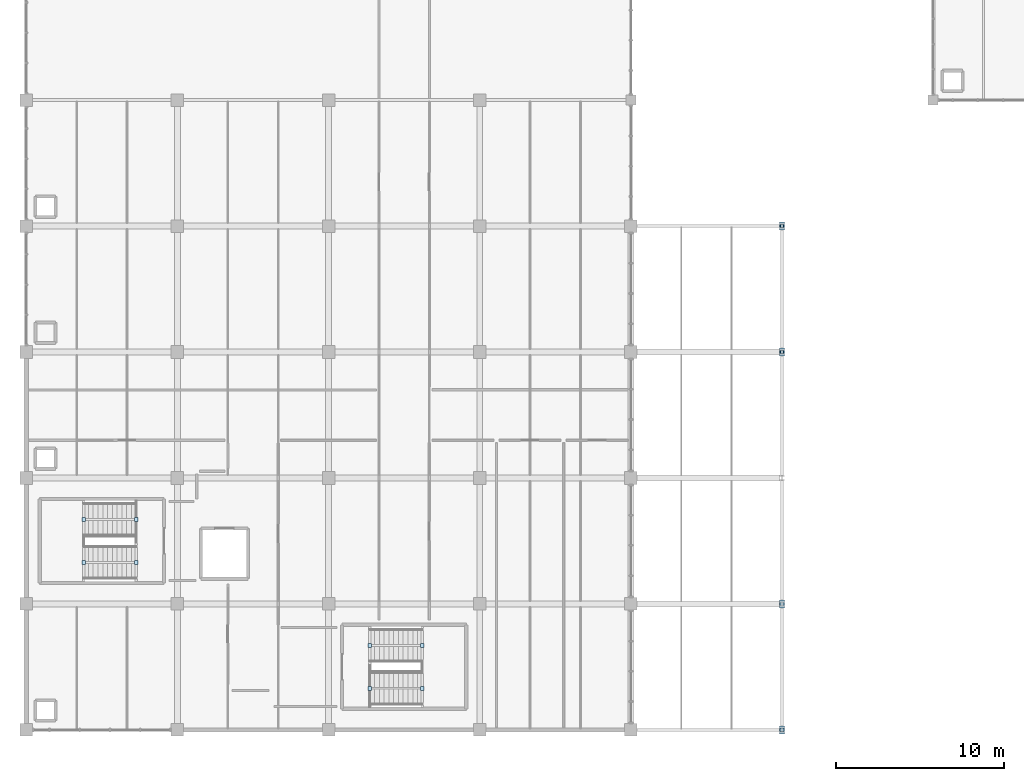
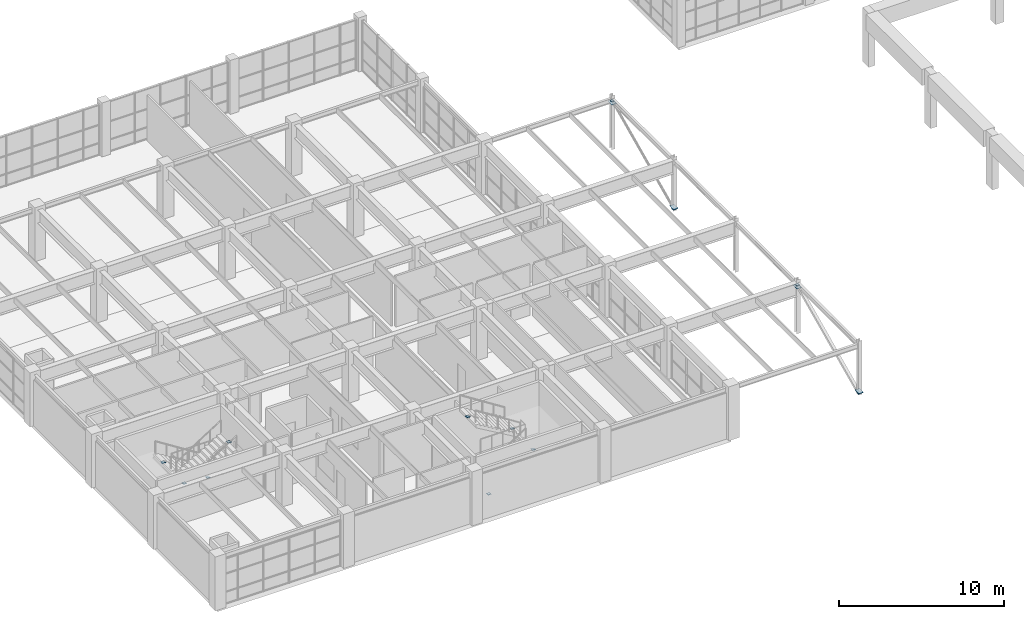
# One storey, part 58 of 76: 16 plates.
"""IFC4 building model written with IfcOpenShell, lengths in metres."""

from ifc_helpers import new_model, si_unit, direction, frame, origin, origin_2d, place, context, subcontext, project, spatial, rectangle, extrude, material, layer, layer_set, type_object, element, save


model = new_model("IFC4")

# Units and contexts
model_context = context("Model", 3, precision=1e-05, world=origin(), true_north=direction((0.0, 1.0)))
body_context = subcontext(model_context, "Body", "Model", "MODEL_VIEW")
ifc_project = project(units=[si_unit("LENGTHUNIT", "METRE"), si_unit("AREAUNIT", "SQUARE_METRE"), si_unit("VOLUMEUNIT", "CUBIC_METRE"), si_unit("PLANEANGLEUNIT", "RADIAN"), si_unit("MASSUNIT", "GRAM", prefix="KILO")], contexts=[model_context])

# Site, building, storey
site_placement = place(None, origin())
site = spatial("IfcSite", under=ifc_project, at=site_placement, CompositionType="ELEMENT")
building_placement = place(site_placement, origin())
building = spatial("IfcBuilding", under=site, at=building_placement, Name="Marnridge Secondary College", CompositionType="ELEMENT")
storey_placement = place(building_placement, frame((0.0, 0.0, 4.5)))
storey = spatial("IfcBuildingStorey", under=building, at=storey_placement, Name="L01", CompositionType="ELEMENT", Elevation=4.5)

# Plates
ifc_material_1 = material(Name="Structural steel plate Grade 350 (AS/NZS 3678, fy = 350 MPa <=12mm, 340 MPa 12-20mm, 330 MPa 20-50mm)", Category="steel")
ifc_layer_1 = layer(ifc_material_1, 0.011962890625)
ifc_layer_set_1 = layer_set([ifc_layer_1], Name="PT-CAP-EXT")
plate_type_1 = type_object("IfcPlateType", Name="PT-CAP-EXT", PredefinedType="SHEET", material=ifc_layer_set_1)
for number, where, z_axis, x_axis, name in (
    (1, (45.0, 0.001708984375, 0.044921875), (0.0, 0.0, 1.0), (0.0, 1.0, 0.0), "Tube end cap BR-002-EC1"),
    (2, (45.0, 7.498291015625, 3.54345703125), (0.0, 0.0, 1.0), (0.0, 1.0, 0.0), "Tube end cap BR-002-EC2"),
):
    element("IfcPlate", number, at=place(storey_placement, frame(where, z_axis=z_axis, x_axis=x_axis)), inside=storey, type_object=plate_type_1, Name=name, PredefinedType="SHEET", context=body_context, shape_type="SweptSolid", body=[
        extrude(rectangle(XDim=0.219970703125, YDim=0.219970703125, at=origin_2d()), origin(), (0.0, 0.0, 1.0), 0.011962890625),
    ])
for number, where, z_axis, x_axis, name in (
    (3, (45.0, 22.501708984375, 0.044921875), (0.0, 0.0, 1.0), (0.0, 1.0, 0.0), "Tube end cap BR-004-EC1"),
    (4, (45.0, 29.998291015625, 3.54345703125), (0.0, 0.0, 1.0), (0.0, 1.0, 0.0), "Tube end cap BR-004-EC2"),
):
    element("IfcPlate", number, at=place(storey_placement, frame(where, z_axis=z_axis, x_axis=x_axis)), inside=storey, type_object=plate_type_1, Name=name, PredefinedType="SHEET", context=body_context, shape_type="SweptSolid", body=[
        extrude(rectangle(XDim=0.18798828125, YDim=0.18798828125, at=origin_2d()), origin(), (0.0, 0.0, 1.0), 0.011962890625),
    ])
ifc_material_2 = material(Name="Structural steel plate Grade 350 (AS/NZS 3678, fy = 350 MPa <=12mm, 340 MPa 12-20mm, 330 MPa 20-50mm)", Category="steel")
ifc_layer_2 = layer(ifc_material_2, 0.010009765625)
ifc_layer_set_2 = layer_set([ifc_layer_2], Name="PT-CAP-INT")
plate_type_2 = type_object("IfcPlateType", Name="PT-CAP-INT", PredefinedType="SHEET", material=ifc_layer_set_2)
for number, where, z_axis, x_axis, name in (
    (5, (6.54833984375, 12.530029296875, -0.32177734375), (0.0, 0.0, 1.0), (-1.0, 0.0, 0.0), "Tube end cap STR-023-EC1"),
    (6, (3.41650390625, 12.530029296875, 1.8857421875), (0.0, 0.0, 1.0), (-1.0, 0.0, 0.0), "Tube end cap STR-023-EC2"),
    (7, (3.416748046875, 9.969970703125, 1.88818359375), (0.0, 0.0, 1.0), (1.0, 0.0, 0.0), "Tube end cap STR-024-EC1"),
    (8, (6.54833984375, 9.969970703125, 3.85595703125), (0.0, 0.0, 1.0), (1.0, 0.0, 0.0), "Tube end cap STR-024-EC2"),
    (9, (20.45166015625, 2.469970703125, -0.32177734375), (0.0, 0.0, 1.0), (1.0, 0.0, 0.0), "Tube end cap STR-031-EC1"),
    (10, (23.58349609375, 2.469970703125, 1.8857421875), (0.0, 0.0, 1.0), (1.0, 0.0, 0.0), "Tube end cap STR-031-EC2"),
    (11, (23.583251953125, 5.030029296875, 1.88818359375), (0.0, 0.0, 1.0), (-1.0, 0.0, 0.0), "Tube end cap STR-032-EC1"),
    (12, (20.45166015625, 5.030029296875, 3.85595703125), (0.0, 0.0, 1.0), (-1.0, 0.0, 0.0), "Tube end cap STR-032-EC2"),
):
    element("IfcPlate", number, at=place(storey_placement, frame(where, z_axis=z_axis, x_axis=x_axis)), inside=storey, type_object=plate_type_2, Name=name, PredefinedType="SHEET", context=body_context, shape_type="SweptSolid", body=[
        extrude(rectangle(XDim=0.219970703125, YDim=0.219970703125, at=origin_2d()), origin(), (0.0, 0.0, 1.0), 0.010009765625),
    ])
ifc_material_3 = material(Name="Structural steel plate Grade 350 (AS/NZS 3678, fy = 350 MPa <=12mm, 340 MPa 12-20mm, 330 MPa 20-50mm)", Category="steel")
ifc_layer_3 = layer(ifc_material_3, 0.02392578125)
ifc_layer_set_3 = layer_set([ifc_layer_3], Name="PT-GUS-GSN2")
plate_type_3 = type_object("IfcPlateType", Name="PT-GUS-GSN2", PredefinedType="USERDEFINED", material=ifc_layer_set_3)
for number, where, z_axis, x_axis, name in (
    (13, (45.0, 0.0, 0.177978515625), (0.0, 0.0, 1.0), (0.0, 1.0, 0.0), "Braced-frame gusset plate GP-053"),
    (14, (45.0, 7.5, 3.39794921875), (0.0, 0.0, 1.0), (0.0, 1.0, 0.0), "Braced-frame gusset plate GP-054"),
    (15, (45.0, 22.5, 0.177978515625), (0.0, 0.0, 1.0), (0.0, 1.0, 0.0), "Braced-frame gusset plate GP-057"),
    (16, (45.0, 30.0, 3.39794921875), (0.0, 0.0, 1.0), (0.0, 1.0, 0.0), "Braced-frame gusset plate GP-058"),
):
    element("IfcPlate", number, at=place(storey_placement, frame(where, z_axis=z_axis, x_axis=x_axis)), inside=storey, type_object=plate_type_3, Name=name, ObjectType="GUSSET PLATE", PredefinedType="USERDEFINED", context=body_context, shape_type="SweptSolid", body=[
        extrude(rectangle(XDim=0.47998046875, YDim=0.320068359375, at=origin_2d()), origin(), (0.0, 0.0, 1.0), 0.02392578125),
    ])

save(model, "model.ifc")
